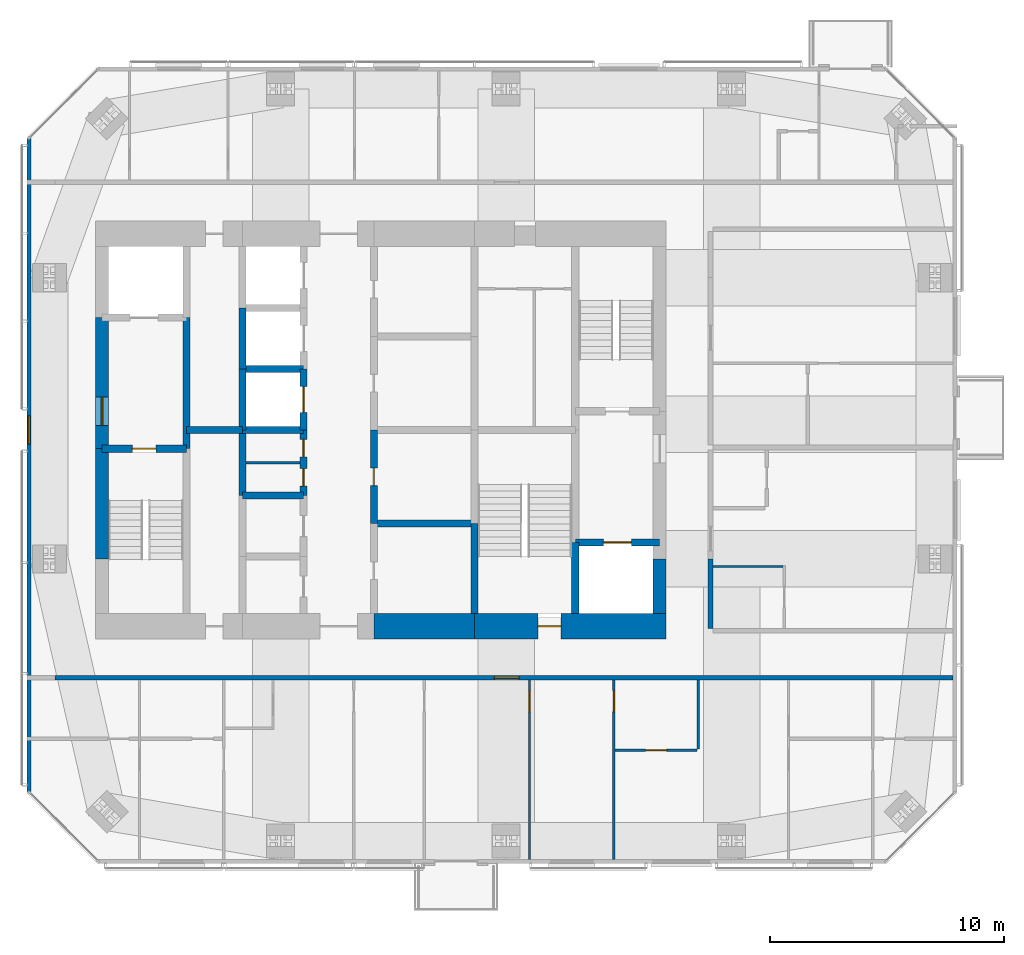
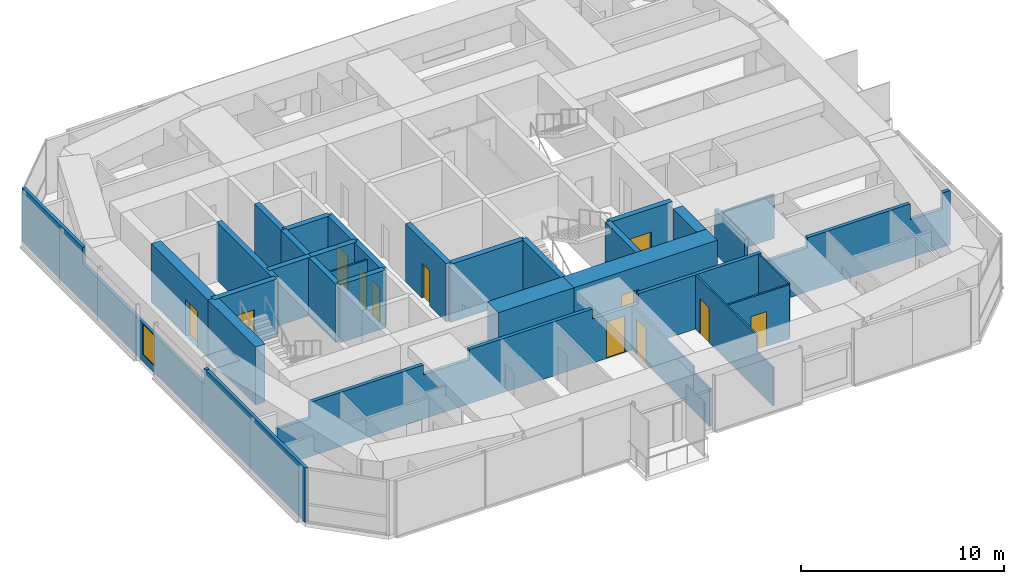
# One storey, part 14 of 18: 30 walls, 12 doors, 1 window, 13 openings.
"""IFC4 building model written with IfcOpenShell, lengths in metres."""

from ifc_helpers import new_model, si_unit, direction, frame, frame_2d, origin, place, context, subcontext, project, spatial, polyline, rectangle, outline, extrude, material, layer, layer_set, constituent, constituent_set, type_object, element, fill, save


model = new_model("IFC4")

# Units and contexts
model_context = context("Model", 3, precision=1e-05, world=origin(), true_north=direction((0.0, 1.0)))
body_context = subcontext(model_context, "Body", "Model", "MODEL_VIEW")
ifc_project = project(units=[si_unit("LENGTHUNIT", "METRE"), si_unit("AREAUNIT", "SQUARE_METRE"), si_unit("VOLUMEUNIT", "CUBIC_METRE"), si_unit("PLANEANGLEUNIT", "RADIAN"), si_unit("MASSUNIT", "GRAM", prefix="KILO")], contexts=[model_context])

# Site, building, storey
site_placement = place(None, origin())
site = spatial("IfcSite", under=ifc_project, at=site_placement, CompositionType="ELEMENT")
building_placement = place(site_placement, origin())
building = spatial("IfcBuilding", under=site, at=building_placement, Name="Jalousie Tower", CompositionType="ELEMENT")
storey_placement = place(building_placement, frame((0.0, 0.0, 249.449951171875)))
storey = spatial("IfcBuildingStorey", under=building, at=storey_placement, Name="L68", CompositionType="ELEMENT", Elevation=249.449951171875)

# Wall
ifc_material_1 = material(Name="Concrete f'c 120 MPa", Category="concrete")
ifc_layer_1 = layer(ifc_material_1, 1.10009765625)
ifc_layer_set_1 = layer_set([ifc_layer_1], Name="Concrete f'c 120 MPa")
wall_type_1 = type_object("IfcWallType", Name="CORE WALL 1100", PredefinedType="SHEAR", material=ifc_layer_set_1)
wall_1_placement = place(storey_placement, frame((31.60009765625, 10.125, 0.0), z_axis=(0.0, 0.0, 1.0), x_axis=(1.0, 0.0, 0.0)))
element("IfcWall", 1, at=wall_1_placement, inside=storey, type_object=wall_type_1, Name="Core wall SC L68", PredefinedType="SHEAR", context=body_context, shape_type="SweptSolid", body=[
    extrude(rectangle(XDim=4.2998046875, YDim=1.10009765625, at=frame_2d((2.14990234375, 0.0))), origin(), (0.0, 0.0, 1.0), 3.5),
])

# Wall, opening, door
wall_2_placement = place(storey_placement, frame((35.89990234375, 10.125, 0.0), z_axis=(0.0, 0.0, 1.0), x_axis=(1.0, 0.0, 0.0)))
wall_2 = element("IfcWall", 2, at=wall_2_placement, inside=storey, type_object=wall_type_1, Name="Core wall SD L68", PredefinedType="SHEAR", context=body_context, shape_type="SweptSolid", body=[
    extrude(rectangle(XDim=8.175048828125, YDim=1.10009765625, at=frame_2d((4.08740234375, 0.0))), origin(), (0.0, 0.0, 1.0), 3.5),
])
opening_1_placement = place(wall_2_placement, frame((2.699951171875, 0.0, 0.0)))
opening_1 = element("IfcOpeningElement", 3, at=opening_1_placement, cuts=wall_2, Name="Opening D10", PredefinedType="OPENING", context=body_context, shape_type="SweptSolid", body=[
    extrude(rectangle(XDim=1.0, YDim=2.10009765625, at=frame_2d((0.5, 1.050048828125))), frame((0.0, 0.56005859375, 0.0), z_axis=(0.0, -1.0, 0.0), x_axis=(1.0, 0.0, 0.0)), (0.0, 0.0, 1.0), 1.1201171875),
])
ifc_material_2 = material(Name="Steel fire door", Category="steel")
door_type_1 = type_object("IfcDoorType", Name="STAIR DOOR 1000", OperationType="SINGLE_SWING_LEFT", PredefinedType="DOOR", material=ifc_material_2)
door_1_placement = place(opening_1_placement, origin())
door_1 = element("IfcDoor", 4, at=door_1_placement, inside=storey, type_object=door_type_1, Name="Exit stair C door", OperationType="SINGLE_SWING_RIGHT", OverallHeight=2.10009765625, OverallWidth=1.0, PredefinedType="DOOR", context=body_context, shape_type="SweptSolid", body=[
    extrude(rectangle(XDim=1.0, YDim=2.10009765625, at=frame_2d((0.5, 1.050048828125))), frame((0.0, 0.02490234375, 0.0), z_axis=(0.0, -1.0, 0.0), x_axis=(1.0, 0.0, 0.0)), (0.0, 0.0, 1.0), 0.050048828125),
])
fill(opening_1, door_1)

# Walls
ifc_material_3 = material(Name="Concrete f'c 120 MPa", Category="concrete")
ifc_layer_2 = layer(ifc_material_3, 0.300048828125)
ifc_layer_set_2 = layer_set([ifc_layer_2], Name="Concrete f'c 120 MPa")
wall_type_2 = type_object("IfcWallType", Name="CORE WALL 300", PredefinedType="SHEAR", material=ifc_layer_set_2)
wall_3_placement = place(storey_placement, frame((23.60009765625, 17.699951171875, 0.0), z_axis=(0.0, 0.0, 1.0), x_axis=(0.0, 1.0, 0.0)))
element("IfcWall", 5, at=wall_3_placement, inside=storey, type_object=wall_type_2, Name="Core wall X23.6B L68", PredefinedType="SHEAR", context=body_context, shape_type="SweptSolid", body=[
    extrude(rectangle(XDim=5.60009765625, YDim=0.300048828125, at=frame_2d((2.800048828125, 0.0))), origin(), (0.0, 0.0, 1.0), 3.5),
])
wall_4_placement = place(storey_placement, frame((26.0, 15.699951171875, 0.0), z_axis=(0.0, 0.0, 1.0), x_axis=(0.0, 1.0, 0.0)))
element("IfcWall", 6, at=wall_4_placement, inside=storey, type_object=wall_type_2, Name="Core wall X26C L68", PredefinedType="SHEAR", context=body_context, shape_type="SweptSolid", body=[
    extrude(rectangle(XDim=2.800048828125, YDim=0.300048828125, at=frame_2d((1.39990234375, 0.0))), origin(), (0.0, 0.0, 1.0), 3.5),
])
wall_5_placement = place(storey_placement, frame((26.0, 18.5, 0.0), z_axis=(0.0, 0.0, 1.0), x_axis=(0.0, 1.0, 0.0)))
element("IfcWall", 7, at=wall_5_placement, inside=storey, type_object=wall_type_2, Name="Core wall X26D L68", PredefinedType="SHEAR", context=body_context, shape_type="SweptSolid", body=[
    extrude(rectangle(XDim=2.60009765625, YDim=0.300048828125, at=frame_2d((1.300048828125, 0.0))), origin(), (0.0, 0.0, 1.0), 3.5),
])
wall_6_placement = place(storey_placement, frame((26.0, 21.10009765625, 0.0), z_axis=(0.0, 0.0, 1.0), x_axis=(0.0, 1.0, 0.0)))
element("IfcWall", 8, at=wall_6_placement, inside=storey, type_object=wall_type_2, Name="Core wall X26E L68", PredefinedType="SHEAR", context=body_context, shape_type="SweptSolid", body=[
    extrude(rectangle(XDim=2.599853515625, YDim=0.300048828125, at=frame_2d((1.2998046875, 0.0))), origin(), (0.0, 0.0, 1.0), 3.5),
])

# Wall, openings, doors
wall_7_placement = place(storey_placement, frame((28.60009765625, 15.699951171875, 0.0), z_axis=(0.0, 0.0, 1.0), x_axis=(0.0, 1.0, 0.0)))
wall_7 = element("IfcWall", 9, at=wall_7_placement, inside=storey, type_object=wall_type_2, Name="Core wall X28.6C L68", PredefinedType="SHEAR", context=body_context, shape_type="SweptSolid", body=[
    extrude(rectangle(XDim=2.800048828125, YDim=0.300048828125, at=frame_2d((1.39990234375, 0.0))), origin(), (0.0, 0.0, 1.0), 3.5),
])
opening_2_placement = place(wall_7_placement, frame((0.39990234375, 0.0, 0.0)))
opening_2 = element("IfcOpeningElement", 10, at=opening_2_placement, cuts=wall_7, Name="Opening D27", PredefinedType="OPENING", context=body_context, shape_type="SweptSolid", body=[
    extrude(rectangle(XDim=0.75, YDim=2.10009765625, at=frame_2d((0.375, 1.050048828125))), frame((0.0, 0.159912109375, 0.0), z_axis=(0.0, -1.0, 0.0), x_axis=(1.0, 0.0, 0.0)), (0.0, 0.0, 1.0), 0.320068359375),
])
opening_3_placement = place(wall_7_placement, frame((1.64990234375, 0.0, 0.0)))
opening_3 = element("IfcOpeningElement", 11, at=opening_3_placement, cuts=wall_7, Name="Opening D27", PredefinedType="OPENING", context=body_context, shape_type="SweptSolid", body=[
    extrude(rectangle(XDim=0.75, YDim=2.10009765625, at=frame_2d((0.375, 1.050048828125))), frame((0.0, 0.159912109375, 0.0), z_axis=(0.0, -1.0, 0.0), x_axis=(1.0, 0.0, 0.0)), (0.0, 0.0, 1.0), 0.320068359375),
])
ifc_material_4 = material(Name="Steel fire door", Category="steel")
door_type_2 = type_object("IfcDoorType", Name="CORE ROOM DOOR 750", OperationType="SINGLE_SWING_LEFT", PredefinedType="DOOR", material=ifc_material_4)
door_2_placement = place(opening_2_placement, origin())
door_2 = element("IfcDoor", 12, at=door_2_placement, inside=storey, type_object=door_type_2, Name="Store door", OperationType="SINGLE_SWING_RIGHT", OverallHeight=2.10009765625, OverallWidth=0.75, PredefinedType="DOOR", context=body_context, shape_type="SweptSolid", body=[
    extrude(rectangle(XDim=0.75, YDim=2.10009765625, at=frame_2d((0.375, 1.050048828125))), frame((0.0, 0.02490234375, 0.0), z_axis=(0.0, -1.0, 0.0), x_axis=(1.0, 0.0, 0.0)), (0.0, 0.0, 1.0), 0.050048828125),
])
fill(opening_2, door_2)
door_3_placement = place(opening_3_placement, origin())
door_3 = element("IfcDoor", 13, at=door_3_placement, inside=storey, type_object=door_type_2, Name="Linen store door", OperationType="SINGLE_SWING_LEFT", OverallHeight=2.10009765625, OverallWidth=0.75, PredefinedType="DOOR", context=body_context, shape_type="SweptSolid", body=[
    extrude(rectangle(XDim=0.75, YDim=2.10009765625, at=frame_2d((0.375, 1.050048828125))), frame((0.0, 0.02490234375, 0.0), z_axis=(0.0, -1.0, 0.0), x_axis=(1.0, 0.0, 0.0)), (0.0, 0.0, 1.0), 0.050048828125),
])
fill(opening_3, door_3)

# Wall, opening, door
wall_8_placement = place(storey_placement, frame((28.60009765625, 18.5, 0.0), z_axis=(0.0, 0.0, 1.0), x_axis=(0.0, 1.0, 0.0)))
wall_8 = element("IfcWall", 14, at=wall_8_placement, inside=storey, type_object=wall_type_2, Name="Core wall X28.6D L68", PredefinedType="SHEAR", context=body_context, shape_type="SweptSolid", body=[
    extrude(rectangle(XDim=2.60009765625, YDim=0.300048828125, at=frame_2d((1.300048828125, 0.0))), origin(), (0.0, 0.0, 1.0), 3.5),
])
opening_4_placement = place(wall_8_placement, frame((0.75, 0.0, 0.0)))
opening_4 = element("IfcOpeningElement", 15, at=opening_4_placement, cuts=wall_8, Name="Opening LD1", PredefinedType="OPENING", context=body_context, shape_type="SweptSolid", body=[
    extrude(rectangle(XDim=1.10009765625, YDim=2.10009765625, at=frame_2d((0.550048828125, 1.050048828125))), frame((0.0, 0.159912109375, 0.0), z_axis=(0.0, -1.0, 0.0), x_axis=(1.0, 0.0, 0.0)), (0.0, 0.0, 1.0), 0.320068359375),
])
ifc_material_5 = material(Name="Steel lift landing door", Category="steel")
door_type_3 = type_object("IfcDoorType", Name="LIFT LANDING DOOR 1100", OperationType="SLIDING_TO_LEFT", PredefinedType="DOOR", material=ifc_material_5)
door_4_placement = place(opening_4_placement, origin())
door_4 = element("IfcDoor", 16, at=door_4_placement, inside=storey, type_object=door_type_3, Name="Lift P4 landing door", OperationType="SLIDING_TO_LEFT", OverallHeight=2.10009765625, OverallWidth=1.10009765625, PredefinedType="DOOR", context=body_context, shape_type="SweptSolid", body=[
    extrude(rectangle(XDim=1.10009765625, YDim=2.10009765625, at=frame_2d((0.550048828125, 1.050048828125))), frame((0.0, 0.02490234375, 0.0), z_axis=(0.0, -1.0, 0.0), x_axis=(1.0, 0.0, 0.0)), (0.0, 0.0, 1.0), 0.050048828125),
])
fill(opening_4, door_4)

wall_9_placement = place(storey_placement, frame((31.60009765625, 14.5, 0.0), z_axis=(0.0, 0.0, 1.0), x_axis=(0.0, 1.0, 0.0)))
wall_9 = element("IfcWall", 17, at=wall_9_placement, inside=storey, type_object=wall_type_2, Name="Core wall X31.6B L68", PredefinedType="SHEAR", context=body_context, shape_type="SweptSolid", body=[
    extrude(rectangle(XDim=4.0, YDim=0.300048828125, at=frame_2d((2.0, 0.0))), origin(), (0.0, 0.0, 1.0), 3.5),
])
opening_5_placement = place(wall_9_placement, frame((1.625, 0.0, 0.0)))
opening_5 = element("IfcOpeningElement", 18, at=opening_5_placement, cuts=wall_9, Name="Opening D16", PredefinedType="OPENING", context=body_context, shape_type="SweptSolid", body=[
    extrude(rectangle(XDim=0.75, YDim=2.10009765625, at=frame_2d((0.375, 1.050048828125))), frame((0.0, 0.159912109375, 0.0), z_axis=(0.0, -1.0, 0.0), x_axis=(1.0, 0.0, 0.0)), (0.0, 0.0, 1.0), 0.320068359375),
])
ifc_material_6 = material(Name="Steel fire door", Category="steel")
door_type_4 = type_object("IfcDoorType", Name="RISER DOOR 750", OperationType="SINGLE_SWING_LEFT", PredefinedType="DOOR", material=ifc_material_6)
door_5_placement = place(opening_5_placement, frame((0.75, 0.0, 0.0), z_axis=(0.0, 0.0, 1.0), x_axis=(-1.0, 0.0, 0.0)))
door_5 = element("IfcDoor", 19, at=door_5_placement, inside=storey, type_object=door_type_4, Name="Electrical Room door", OperationType="SINGLE_SWING_RIGHT", OverallHeight=2.10009765625, OverallWidth=0.75, PredefinedType="DOOR", context=body_context, shape_type="SweptSolid", body=[
    extrude(rectangle(XDim=0.75, YDim=2.10009765625, at=frame_2d((0.375, 1.050048828125))), frame((0.0, 0.02490234375, 0.0), z_axis=(0.0, -1.0, 0.0), x_axis=(1.0, 0.0, 0.0)), (0.0, 0.0, 1.0), 0.050048828125),
])
fill(opening_5, door_5)

# Walls
wall_10_placement = place(storey_placement, frame((35.89990234375, 10.675048828125, 0.0), z_axis=(0.0, 0.0, 1.0), x_axis=(0.0, 1.0, 0.0)))
element("IfcWall", 20, at=wall_10_placement, inside=storey, type_object=wall_type_2, Name="Core wall X35.9A L68", PredefinedType="SHEAR", context=body_context, shape_type="SweptSolid", body=[
    extrude(rectangle(XDim=3.824951171875, YDim=0.300048828125, at=frame_2d((1.91259765625, 0.0))), origin(), (0.0, 0.0, 1.0), 3.5),
])
wall_11_placement = place(storey_placement, frame((40.199951171875, 10.675048828125, 0.0), z_axis=(0.0, 0.0, 1.0), x_axis=(0.0, 1.0, 0.0)))
element("IfcWall", 21, at=wall_11_placement, inside=storey, type_object=wall_type_2, Name="Core wall X40.2A L68", PredefinedType="SHEAR", context=body_context, shape_type="SweptSolid", body=[
    extrude(rectangle(XDim=3.02490234375, YDim=0.300048828125, at=frame_2d((1.512451171875, 0.0))), origin(), (0.0, 0.0, 1.0), 3.5),
])

# Wall, opening, door
wall_12_placement = place(storey_placement, frame((20.0, 17.699951171875, 0.0), z_axis=(0.0, 0.0, 1.0), x_axis=(1.0, 0.0, 0.0)))
wall_12 = element("IfcWall", 22, at=wall_12_placement, inside=storey, type_object=wall_type_2, Name="Core wall Y20-17.7 L68", PredefinedType="SHEAR", context=body_context, shape_type="SweptSolid", body=[
    extrude(rectangle(XDim=3.60009765625, YDim=0.300048828125, at=frame_2d((1.800048828125, 0.0))), origin(), (0.0, 0.0, 1.0), 3.5),
])
opening_6_placement = place(wall_12_placement, frame((1.300048828125, 0.0, 0.0)))
opening_6 = element("IfcOpeningElement", 23, at=opening_6_placement, cuts=wall_12, Name="Opening D10", PredefinedType="OPENING", context=body_context, shape_type="SweptSolid", body=[
    extrude(rectangle(XDim=1.0, YDim=2.10009765625, at=frame_2d((0.5, 1.050048828125))), frame((0.0, 0.159912109375, 0.0), z_axis=(0.0, -1.0, 0.0), x_axis=(1.0, 0.0, 0.0)), (0.0, 0.0, 1.0), 0.320068359375),
])
door_6_placement = place(opening_6_placement, frame((1.0, 0.0, 0.0), z_axis=(0.0, 0.0, 1.0), x_axis=(-1.0, 0.0, 0.0)))
door_6 = element("IfcDoor", 24, at=door_6_placement, inside=storey, type_object=door_type_1, Name="Exit stair A door", OperationType="SINGLE_SWING_RIGHT", OverallHeight=2.10009765625, OverallWidth=1.0, PredefinedType="DOOR", context=body_context, shape_type="SweptSolid", body=[
    extrude(rectangle(XDim=1.0, YDim=2.10009765625, at=frame_2d((0.5, 1.050048828125))), frame((0.0, 0.02490234375, 0.0), z_axis=(0.0, -1.0, 0.0), x_axis=(1.0, 0.0, 0.0)), (0.0, 0.0, 1.0), 0.050048828125),
])
fill(opening_6, door_6)

# Walls
wall_13_placement = place(storey_placement, frame((23.60009765625, 18.5, 0.0), z_axis=(0.0, 0.0, 1.0), x_axis=(1.0, 0.0, 0.0)))
element("IfcWall", 25, at=wall_13_placement, inside=storey, type_object=wall_type_2, Name="Core wall Y23.6-18.5 L68", PredefinedType="SHEAR", context=body_context, shape_type="SweptSolid", body=[
    extrude(rectangle(XDim=2.39990234375, YDim=0.300048828125, at=frame_2d((1.199951171875, 0.0))), origin(), (0.0, 0.0, 1.0), 3.5),
])
for number, where, z_axis, x_axis, name in (
    (26, (26.0, 15.699951171875, 0.0), (0.0, 0.0, 1.0), (1.0, 0.0, 0.0), "Core wall Y26-15.7 L68"),
    (27, (26.0, 18.5, 0.0), (0.0, 0.0, 1.0), (1.0, 0.0, 0.0), "Core wall Y26-18.5 L68"),
    (28, (26.0, 21.10009765625, 0.0), (0.0, 0.0, 1.0), (1.0, 0.0, 0.0), "Core wall Y26-21.1 L68"),
):
    element("IfcWall", number, at=place(storey_placement, frame(where, z_axis=z_axis, x_axis=x_axis)), inside=storey, type_object=wall_type_2, Name=name, PredefinedType="SHEAR", context=body_context, shape_type="SweptSolid", body=[
        extrude(rectangle(XDim=2.60009765625, YDim=0.300048828125, at=frame_2d((1.300048828125, 0.0))), origin(), (0.0, 0.0, 1.0), 3.5),
    ])
wall_14_placement = place(storey_placement, frame((31.60009765625, 14.5, 0.0), z_axis=(0.0, 0.0, 1.0), x_axis=(1.0, 0.0, 0.0)))
element("IfcWall", 29, at=wall_14_placement, inside=storey, type_object=wall_type_2, Name="Core wall Y31.6-14.5 L68", PredefinedType="SHEAR", context=body_context, shape_type="SweptSolid", body=[
    extrude(rectangle(XDim=4.2998046875, YDim=0.300048828125, at=frame_2d((2.14990234375, 0.0))), origin(), (0.0, 0.0, 1.0), 3.5),
])

# Wall, opening, door
wall_15_placement = place(storey_placement, frame((40.199951171875, 13.699951171875, 0.0), z_axis=(0.0, 0.0, 1.0), x_axis=(1.0, 0.0, 0.0)))
wall_15 = element("IfcWall", 30, at=wall_15_placement, inside=storey, type_object=wall_type_2, Name="Core wall Y40.2-13.7 L68", PredefinedType="SHEAR", context=body_context, shape_type="SweptSolid", body=[
    extrude(rectangle(XDim=3.60009765625, YDim=0.300048828125, at=frame_2d((1.800048828125, 0.0))), origin(), (0.0, 0.0, 1.0), 3.5),
])
opening_7_placement = place(wall_15_placement, frame((1.199951171875, 0.0, 0.0)))
opening_7 = element("IfcOpeningElement", 31, at=opening_7_placement, cuts=wall_15, Name="Opening LD2", PredefinedType="OPENING", context=body_context, shape_type="SweptSolid", body=[
    extrude(rectangle(XDim=1.199951171875, YDim=2.10009765625, at=frame_2d((0.60009765625, 1.050048828125))), frame((0.0, 0.159912109375, 0.0), z_axis=(0.0, -1.0, 0.0), x_axis=(1.0, 0.0, 0.0)), (0.0, 0.0, 1.0), 0.320068359375),
])
ifc_material_7 = material(Name="Steel lift landing door", Category="steel")
door_type_5 = type_object("IfcDoorType", Name="LIFT LANDING DOOR 1200", OperationType="SLIDING_TO_LEFT", PredefinedType="DOOR", material=ifc_material_7)
door_7_placement = place(opening_7_placement, origin())
door_7 = element("IfcDoor", 32, at=door_7_placement, inside=storey, type_object=door_type_5, Name="Lift F2 landing door", OperationType="SLIDING_TO_LEFT", OverallHeight=2.10009765625, OverallWidth=1.199951171875, PredefinedType="DOOR", context=body_context, shape_type="SweptSolid", body=[
    extrude(rectangle(XDim=1.199951171875, YDim=2.10009765625, at=frame_2d((0.60009765625, 1.050048828125))), frame((0.0, 0.02490234375, 0.0), z_axis=(0.0, -1.0, 0.0), x_axis=(1.0, 0.0, 0.0)), (0.0, 0.0, 1.0), 0.050048828125),
])
fill(opening_7, door_7)

ifc_material_8 = material(Name="Concrete f'c 120 MPa", Category="concrete")
ifc_layer_3 = layer(ifc_material_8, 0.550048828125)
ifc_layer_set_3 = layer_set([ifc_layer_3], Name="Concrete f'c 120 MPa")
wall_type_3 = type_object("IfcWallType", Name="CORE WALL 550", PredefinedType="SHEAR", material=ifc_layer_set_3)
wall_16_placement = place(storey_placement, frame((20.0, 23.300048828125, 0.0), z_axis=(0.0, 0.0, 1.0), x_axis=(0.0, -1.0, 0.0)))
wall_16 = element("IfcWall", 33, at=wall_16_placement, inside=storey, type_object=wall_type_3, Name="Core wall WB L68", PredefinedType="SHEAR", context=body_context, shape_type="SweptSolid", body=[
    extrude(rectangle(XDim=5.60009765625, YDim=0.550048828125, at=frame_2d((2.800048828125, 0.0))), origin(), (0.0, 0.0, 1.0), 3.5),
])
opening_8_placement = place(wall_16_placement, frame((3.39990234375, 0.0, 0.0)))
opening_8 = element("IfcOpeningElement", 34, at=opening_8_placement, cuts=wall_16, Name="Opening D11", PredefinedType="OPENING", context=body_context, shape_type="SweptSolid", body=[
    extrude(rectangle(XDim=1.199951171875, YDim=2.199951171875, at=frame_2d((0.60009765625, 1.10009765625))), frame((0.0, 0.284912109375, 0.0), z_axis=(0.0, -1.0, 0.0), x_axis=(1.0, 0.0, 0.0)), (0.0, 0.0, 1.0), 0.570068359375),
])
ifc_material_9 = material(Name="Steel fire door", Category="steel")
door_type_6 = type_object("IfcDoorType", Name="FIRE DOOR 1200", OperationType="SINGLE_SWING_LEFT", PredefinedType="DOOR", material=ifc_material_9)
door_8_placement = place(opening_8_placement, origin())
door_8 = element("IfcDoor", 35, at=door_8_placement, inside=storey, type_object=door_type_6, Name="Fire-fighting lobby A door", OperationType="SINGLE_SWING_RIGHT", OverallHeight=2.199951171875, OverallWidth=1.199951171875, PredefinedType="DOOR", context=body_context, shape_type="SweptSolid", body=[
    extrude(rectangle(XDim=1.199951171875, YDim=2.199951171875, at=frame_2d((0.60009765625, 1.10009765625))), frame((0.0, 0.02490234375, 0.0), z_axis=(0.0, -1.0, 0.0), x_axis=(1.0, 0.0, 0.0)), (0.0, 0.0, 1.0), 0.050048828125),
])
fill(opening_8, door_8)

# Walls
wall_17_placement = place(storey_placement, frame((20.0, 17.699951171875, 0.0), z_axis=(0.0, 0.0, 1.0), x_axis=(0.0, -1.0, 0.0)))
element("IfcWall", 36, at=wall_17_placement, inside=storey, type_object=wall_type_3, Name="Core wall WC L68", PredefinedType="SHEAR", context=body_context, shape_type="SweptSolid", body=[
    extrude(rectangle(XDim=4.699951171875, YDim=0.550048828125, at=frame_2d((2.35009765625, 0.0))), origin(), (0.0, 0.0, 1.0), 3.5),
])
wall_18_placement = place(storey_placement, frame((43.800048828125, 10.675048828125, 0.0), z_axis=(0.0, 0.0, 1.0), x_axis=(0.0, 1.0, 0.0)))
element("IfcWall", 37, at=wall_18_placement, inside=storey, type_object=wall_type_3, Name="Core wall EA L68", PredefinedType="SHEAR", context=body_context, shape_type="SweptSolid", body=[
    extrude(rectangle(XDim=2.324951171875, YDim=0.550048828125, at=frame_2d((1.16259765625, 0.0))), origin(), (0.0, 0.0, 1.0), 3.5),
])

# Wall, opening, door
ifc_material_10 = material(Name="Concrete block ASTM C90", Category="concrete")
ifc_constituent_1 = constituent(ifc_material_10, Name="Body")
ifc_material_11 = material(Name="Render")
ifc_constituent_2 = constituent(ifc_material_11, Name="Finish")
ifc_constituent_set_1 = constituent_set(constituents=[ifc_constituent_1, ifc_constituent_2])
wall_type_4 = type_object("IfcWallType", Name="CORRIDOR WALL 200", PredefinedType="PARTITIONING", material=ifc_constituent_set_1)
wall_19_placement = place(storey_placement, frame((18.0, 7.925048828125, 0.0), z_axis=(0.0, 0.0, 1.0), x_axis=(1.0, 0.0, 0.0)))
wall_19 = element("IfcWall", 38, at=wall_19_placement, inside=storey, type_object=wall_type_4, Name="Corridor Wall 200 L68", PredefinedType="PARTITIONING", context=body_context, shape_type="SweptSolid", body=[
    extrude(outline(polyline([(0.0, 0.0), (38.324951171875, 0.0), (38.324951171875, 3.260009765625), (37.875, 3.260009765625), (37.875, 2.300048828125), (36.042724609375, 2.300048828125), (36.042724609375, 3.260009765625), (30.18505859375, 3.260009765625), (30.18505859375, 2.66015625), (27.56494140625, 2.66015625), (27.56494140625, 3.260009765625), (20.56005859375, 3.260009765625), (20.56005859375, 2.66015625), (17.93994140625, 2.66015625), (17.93994140625, 3.260009765625), (10.93505859375, 3.260009765625), (10.93505859375, 2.66015625), (8.31494140625, 2.66015625), (8.31494140625, 3.260009765625), (1.838623046875, 3.260009765625), (1.838623046875, 2.300048828125), (0.0, 2.300048828125), (0.0, 3.260009765625), (0.0, 0.0)])), frame((0.0, 0.10009765625, 0.0), z_axis=(0.0, -1.0, 0.0), x_axis=(1.0, 0.0, 0.0)), (0.0, 0.0, 1.0), 0.199951171875),
])
opening_9_placement = place(wall_19_placement, frame((18.75, 0.0, 0.0)))
opening_9 = element("IfcOpeningElement", 39, at=opening_9_placement, cuts=wall_19, Name="Opening D1", PredefinedType="OPENING", context=body_context, shape_type="SweptSolid", body=[
    extrude(rectangle(XDim=1.050048828125, YDim=2.199951171875, at=frame_2d((0.52490234375, 1.10009765625))), frame((0.0, 0.10986328125, 0.0), z_axis=(0.0, -1.0, 0.0), x_axis=(1.0, 0.0, 0.0)), (0.0, 0.0, 1.0), 0.219970703125),
])
ifc_material_12 = material(Name="Timber fire door", Category="wood")
door_type_7 = type_object("IfcDoorType", Name="APARTMENT ENTRANCE DOOR 1050", OperationType="SINGLE_SWING_LEFT", PredefinedType="DOOR", material=ifc_material_12)
door_9_placement = place(opening_9_placement, frame((1.050048828125, 0.0, 0.0), z_axis=(0.0, 0.0, 1.0), x_axis=(-1.0, 0.0, 0.0)))
door_9 = element("IfcDoor", 40, at=door_9_placement, inside=storey, type_object=door_type_7, Name="Apartment 6801 entrance", OperationType="SINGLE_SWING_LEFT", OverallHeight=2.199951171875, OverallWidth=1.050048828125, PredefinedType="DOOR", context=body_context, shape_type="SweptSolid", body=[
    extrude(rectangle(XDim=1.050048828125, YDim=2.199951171875, at=frame_2d((0.52490234375, 1.10009765625))), frame((0.0, 0.02490234375, 0.0), z_axis=(0.0, -1.0, 0.0), x_axis=(1.0, 0.0, 0.0)), (0.0, 0.0, 1.0), 0.050048828125),
])
fill(opening_9, door_9)

# Wall
wall_20_placement = place(storey_placement, frame((45.97509765625, 10.02490234375, 0.0), z_axis=(0.0, 0.0, 1.0), x_axis=(0.0, 1.0, 0.0)))
element("IfcWall", 41, at=wall_20_placement, inside=storey, type_object=wall_type_4, Name="Corridor Wall 200 L68-A", PredefinedType="PARTITIONING", context=body_context, shape_type="SweptSolid", body=[
    extrude(rectangle(XDim=2.97509765625, YDim=0.199951171875, at=frame_2d((1.487548828125, 0.0))), origin(), (0.0, 0.0, 1.0), 2.66015625),
])

# Wall, opening, window
ifc_material_13 = material(Name="Concrete f'c 40 MPa", Category="concrete")
ifc_constituent_3 = constituent(ifc_material_13, Name="Body")
ifc_material_14 = material(Name="Render, pastel sky blue")
ifc_constituent_4 = constituent(ifc_material_14, Name="Finish")
ifc_constituent_set_2 = constituent_set(constituents=[ifc_constituent_3, ifc_constituent_4])
wall_type_5 = type_object("IfcWallType", Name="EXTERNAL WALL 175 SKY BLUE RENDER", PredefinedType="SOLIDWALL", material=ifc_constituent_set_2)
wall_21_placement = place(storey_placement, frame((16.887451171875, 30.94873046875, 0.0), z_axis=(0.0, 0.0, 1.0), x_axis=(0.0, -1.0, 0.0)))
wall_21 = element("IfcWall", 42, at=wall_21_placement, inside=storey, type_object=wall_type_5, Name="External Wall 175 Sky Blue Render L68", PredefinedType="SOLIDWALL", context=body_context, shape_type="SweptSolid", body=[
    extrude(outline(polyline([(0.0, 0.0), (27.8974609375, 0.0), (27.8974609375, 3.260009765625), (18.1484375, 3.260009765625), (18.1484375, 2.300048828125), (18.125, 2.300048828125), (18.125, 3.260009765625), (17.94873046875, 3.260009765625), (17.94873046875, 2.300048828125), (5.94873046875, 2.300048828125), (5.94873046875, 3.260009765625), (0.0, 3.260009765625), (0.0, 0.0)])), frame((0.0, 0.08740234375, 0.0), z_axis=(0.0, -1.0, 0.0), x_axis=(1.0, 0.0, 0.0)), (0.0, 0.0, 1.0), 0.175048828125),
])
opening_10_placement = place(wall_21_placement, frame((11.8486328125, 0.0, 0.39990234375)))
opening_10 = element("IfcOpeningElement", 43, at=opening_10_placement, cuts=wall_21, Name="Opening W-COR185", PredefinedType="OPENING", context=body_context, shape_type="SweptSolid", body=[
    extrude(rectangle(XDim=1.199951171875, YDim=1.85009765625, at=frame_2d((0.60009765625, 0.925048828125))), frame((0.0, 0.097412109375, 0.0), z_axis=(0.0, -1.0, 0.0), x_axis=(1.0, 0.0, 0.0)), (0.0, 0.0, 1.0), 0.195068359375),
])
ifc_material_15 = material(Name="Aluminium frame, impact-rated glazing", Category="aluminium")
window_type = type_object("IfcWindowType", Name="WINDOW COR 1200x1850", PartitioningType="SINGLE_PANEL", PredefinedType="WINDOW", material=ifc_material_15)
window_placement = place(opening_10_placement, origin())
window = element("IfcWindow", 44, at=window_placement, inside=storey, type_object=window_type, Name="Corridor window", OverallHeight=1.85009765625, OverallWidth=1.199951171875, PartitioningType="SINGLE_PANEL", PredefinedType="WINDOW", context=body_context, shape_type="SweptSolid", body=[
    extrude(rectangle(XDim=1.199951171875, YDim=1.85009765625, at=frame_2d((0.60009765625, 0.925048828125))), frame((0.0, 0.030029296875, 0.0), z_axis=(0.0, -1.0, 0.0), x_axis=(1.0, 0.0, 0.0)), (0.0, 0.0, 1.0), 0.06005859375),
])
fill(opening_10, window)

# Wall, opening, door
ifc_material_16 = material(Name="Gypsum board", Category="gypsum")
ifc_constituent_5 = constituent(ifc_material_16, Name="Body")
ifc_material_17 = material(Name="Light-gauge steel studs ASTM A653 SS Grade 33", Category="steel")
ifc_constituent_6 = constituent(ifc_material_17, Name="Framing")
ifc_constituent_set_3 = constituent_set(constituents=[ifc_constituent_5, ifc_constituent_6])
wall_type_6 = type_object("IfcWallType", Name="PARTITION 100", PredefinedType="PARTITIONING", material=ifc_constituent_set_3)
wall_22_placement = place(storey_placement, frame((38.25, 0.175048828125, 0.0), z_axis=(0.0, 0.0, 1.0), x_axis=(0.0, 1.0, 0.0)))
wall_22 = element("IfcWall", 45, at=wall_22_placement, inside=storey, type_object=wall_type_6, Name="Partition 100 L68", PredefinedType="PARTITIONING", context=body_context, shape_type="SweptSolid", body=[
    extrude(outline(polyline([(0.0, 0.0), (7.64990234375, 0.0), (7.64990234375, 3.260009765625), (7.64990234375, 2.66015625), (1.635009765625, 2.66015625), (1.635009765625, 2.300048828125), (0.0, 2.300048828125), (0.0, 3.260009765625), (0.0, 0.0)])), frame((0.0, 0.050048828125, 0.0), z_axis=(0.0, -1.0, 0.0), x_axis=(1.0, 0.0, 0.0)), (0.0, 0.0, 1.0), 0.10009765625),
])
opening_11_placement = place(wall_22_placement, frame((6.300048828125, 0.0, 0.0)))
opening_11 = element("IfcOpeningElement", 46, at=opening_11_placement, cuts=wall_22, Name="Opening D2", PredefinedType="OPENING", context=body_context, shape_type="SweptSolid", body=[
    extrude(rectangle(XDim=0.89990234375, YDim=2.10009765625, at=frame_2d((0.449951171875, 1.050048828125))), frame((0.0, 0.06005859375, 0.0), z_axis=(0.0, -1.0, 0.0), x_axis=(1.0, 0.0, 0.0)), (0.0, 0.0, 1.0), 0.1201171875),
])
ifc_material_18 = material(Name="Timber door", Category="wood")
door_type_8 = type_object("IfcDoorType", Name="BEDROOM DOOR 900", OperationType="SINGLE_SWING_LEFT", PredefinedType="DOOR", material=ifc_material_18)
door_10_placement = place(opening_11_placement, origin())
door_10 = element("IfcDoor", 47, at=door_10_placement, inside=storey, type_object=door_type_8, Name="Apartment 6801 snug door", OperationType="SINGLE_SWING_RIGHT", OverallHeight=2.10009765625, OverallWidth=0.89990234375, PredefinedType="DOOR", context=body_context, shape_type="SweptSolid", body=[
    extrude(rectangle(XDim=0.89990234375, YDim=2.10009765625, at=frame_2d((0.449951171875, 1.050048828125))), frame((0.0, 0.02490234375, 0.0), z_axis=(0.0, -1.0, 0.0), x_axis=(1.0, 0.0, 0.0)), (0.0, 0.0, 1.0), 0.050048828125),
])
fill(opening_11, door_10)

wall_23_placement = place(storey_placement, frame((41.85009765625, 0.175048828125, 0.0), z_axis=(0.0, 0.0, 1.0), x_axis=(0.0, 1.0, 0.0)))
wall_23 = element("IfcWall", 48, at=wall_23_placement, inside=storey, type_object=wall_type_6, Name="Partition 100 L68", PredefinedType="PARTITIONING", context=body_context, shape_type="SweptSolid", body=[
    extrude(outline(polyline([(0.0, 0.0), (7.64990234375, 0.0), (7.64990234375, 3.260009765625), (1.635009765625, 3.260009765625), (1.635009765625, 2.300048828125), (0.0, 2.300048828125), (0.0, 3.260009765625), (0.0, 0.0)])), frame((0.0, 0.050048828125, 0.0), z_axis=(0.0, -1.0, 0.0), x_axis=(1.0, 0.0, 0.0)), (0.0, 0.0, 1.0), 0.10009765625),
])
opening_12_placement = place(wall_23_placement, frame((6.300048828125, 0.0, 0.0)))
opening_12 = element("IfcOpeningElement", 49, at=opening_12_placement, cuts=wall_23, Name="Opening D2", PredefinedType="OPENING", context=body_context, shape_type="SweptSolid", body=[
    extrude(rectangle(XDim=0.89990234375, YDim=2.10009765625, at=frame_2d((0.449951171875, 1.050048828125))), frame((0.0, 0.06005859375, 0.0), z_axis=(0.0, -1.0, 0.0), x_axis=(1.0, 0.0, 0.0)), (0.0, 0.0, 1.0), 0.1201171875),
])
door_11_placement = place(opening_12_placement, origin())
door_11 = element("IfcDoor", 50, at=door_11_placement, inside=storey, type_object=door_type_8, Name="Apartment 6801 den door", OperationType="SINGLE_SWING_RIGHT", OverallHeight=2.10009765625, OverallWidth=0.89990234375, PredefinedType="DOOR", context=body_context, shape_type="SweptSolid", body=[
    extrude(rectangle(XDim=0.89990234375, YDim=2.10009765625, at=frame_2d((0.449951171875, 1.050048828125))), frame((0.0, 0.02490234375, 0.0), z_axis=(0.0, -1.0, 0.0), x_axis=(1.0, 0.0, 0.0)), (0.0, 0.0, 1.0), 0.050048828125),
])
fill(opening_12, door_11)

wall_24_placement = place(storey_placement, frame((41.89990234375, 4.824951171875, 0.0), z_axis=(0.0, 0.0, 1.0), x_axis=(1.0, 0.0, 0.0)))
wall_24 = element("IfcWall", 51, at=wall_24_placement, inside=storey, type_object=wall_type_6, Name="Partition 100 L68", PredefinedType="PARTITIONING", context=body_context, shape_type="SweptSolid", body=[
    extrude(rectangle(XDim=3.5, YDim=0.10009765625, at=frame_2d((1.75, 0.0))), origin(), (0.0, 0.0, 1.0), 3.260009765625),
])
opening_13_placement = place(wall_24_placement, frame((1.300048828125, 0.0, 0.0)))
opening_13 = element("IfcOpeningElement", 52, at=opening_13_placement, cuts=wall_24, Name="Opening D7", PredefinedType="OPENING", context=body_context, shape_type="SweptSolid", body=[
    extrude(rectangle(XDim=0.89990234375, YDim=2.10009765625, at=frame_2d((0.449951171875, 1.050048828125))), frame((0.0, 0.06005859375, 0.0), z_axis=(0.0, -1.0, 0.0), x_axis=(1.0, 0.0, 0.0)), (0.0, 0.0, 1.0), 0.1201171875),
])
ifc_material_19 = material(Name="Timber door", Category="wood")
door_type_9 = type_object("IfcDoorType", Name="INTERNAL DOOR 900", OperationType="SINGLE_SWING_LEFT", PredefinedType="DOOR", material=ifc_material_19)
door_12_placement = place(opening_13_placement, frame((0.89990234375, 0.0, 0.0), z_axis=(0.0, 0.0, 1.0), x_axis=(-1.0, 0.0, 0.0)))
door_12 = element("IfcDoor", 53, at=door_12_placement, inside=storey, type_object=door_type_9, Name="Apartment 6801 kitchen door", OperationType="SINGLE_SWING_RIGHT", OverallHeight=2.10009765625, OverallWidth=0.89990234375, PredefinedType="DOOR", context=body_context, shape_type="SweptSolid", body=[
    extrude(rectangle(XDim=0.89990234375, YDim=2.10009765625, at=frame_2d((0.449951171875, 1.050048828125))), frame((0.0, 0.02490234375, 0.0), z_axis=(0.0, -1.0, 0.0), x_axis=(1.0, 0.0, 0.0)), (0.0, 0.0, 1.0), 0.050048828125),
])
fill(opening_13, door_12)

# Walls
wall_25_placement = place(storey_placement, frame((45.449951171875, 4.875, 0.0), z_axis=(0.0, 0.0, 1.0), x_axis=(0.0, 1.0, 0.0)))
element("IfcWall", 54, at=wall_25_placement, inside=storey, type_object=wall_type_6, Name="Partition 100 L68", PredefinedType="PARTITIONING", context=body_context, shape_type="SweptSolid", body=[
    extrude(rectangle(XDim=2.949951171875, YDim=0.10009765625, at=frame_2d((1.47509765625, 0.0))), origin(), (0.0, 0.0, 1.0), 3.260009765625),
])
wall_26_placement = place(storey_placement, frame((46.074951171875, 12.675048828125, 0.0), z_axis=(0.0, 0.0, 1.0), x_axis=(1.0, 0.0, 0.0)))
element("IfcWall", 55, at=wall_26_placement, inside=storey, type_object=wall_type_6, Name="Partition 100 L68", PredefinedType="PARTITIONING", context=body_context, shape_type="SweptSolid", body=[
    extrude(outline(polyline([(0.0, 0.0), (3.0, 0.0), (3.0, 3.260009765625), (3.0, 2.66015625), (2.06005859375, 2.66015625), (0.0, 2.66015625), (0.0, 3.260009765625), (0.0, 0.0)])), frame((0.0, 0.050048828125, 0.0), z_axis=(0.0, -1.0, 0.0), x_axis=(1.0, 0.0, 0.0)), (0.0, 0.0, 1.0), 0.10009765625),
])
wall_27_placement = place(storey_placement, frame((26.14990234375, 17.10009765625, 0.0), z_axis=(0.0, 0.0, 1.0), x_axis=(1.0, 0.0, 0.0)))
element("IfcWall", 56, at=wall_27_placement, inside=storey, type_object=wall_type_6, Name="Partition 100 L68", PredefinedType="PARTITIONING", context=body_context, shape_type="SweptSolid", body=[
    extrude(rectangle(XDim=2.300048828125, YDim=0.10009765625, at=frame_2d((1.14990234375, 0.0))), origin(), (0.0, 0.0, 1.0), 3.260009765625),
])

save(model, "model.ifc")
